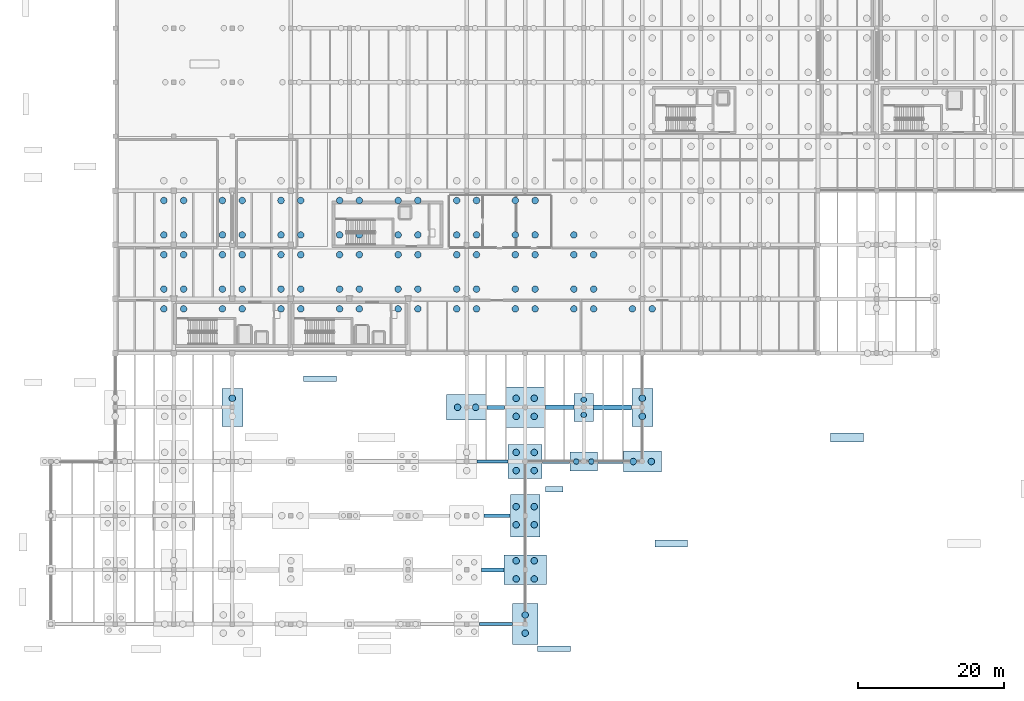
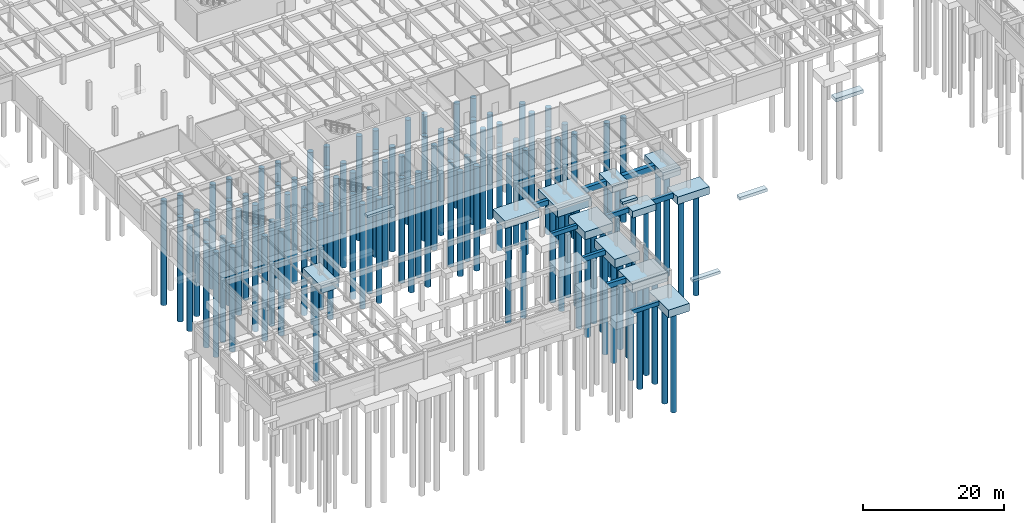
# One storey, part 3 of 40: 108 piles, 25 footings.
"""IFC4 building model written with IfcOpenShell, lengths in metres."""

from ifc_helpers import new_model, si_unit, direction, frame, origin, origin_2d, place, context, subcontext, project, spatial, polyline, rectangle, circle, outline, extrude, material, material_profile, profile_set, type_object, element, save


model = new_model("IFC4")

# Units and contexts
model_context = context("Model", 3, precision=1e-05, world=origin(), true_north=direction((0.0, 1.0)))
body_context = subcontext(model_context, "Body", "Model", "MODEL_VIEW")
ifc_project = project(units=[si_unit("LENGTHUNIT", "METRE"), si_unit("AREAUNIT", "SQUARE_METRE"), si_unit("VOLUMEUNIT", "CUBIC_METRE"), si_unit("PLANEANGLEUNIT", "RADIAN"), si_unit("MASSUNIT", "GRAM", prefix="KILO")], contexts=[model_context])

# Site, building, storey
site_placement = place(None, origin())
site = spatial("IfcSite", under=ifc_project, at=site_placement, CompositionType="ELEMENT")
building_placement = place(site_placement, origin())
building = spatial("IfcBuilding", under=site, at=building_placement, Name="Valkorina Park Police Headquarters", CompositionType="ELEMENT")
storey_placement = place(building_placement, frame((0.0, 0.0, -4.800048828125)))
storey = spatial("IfcBuildingStorey", under=building, at=storey_placement, Name="B01", CompositionType="ELEMENT", Elevation=-4.800048828125)

# Footings
ifc_material_1 = material(Name="Concrete C30/37", Category="concrete")
ifc_material_profile_1 = material_profile(ifc_material_1, rectangle(XDim=0.449951171875, YDim=0.699951171875, at=origin_2d()), Name="GB 450x700")
ifc_profile_set_1 = profile_set([ifc_material_profile_1], Name="Concrete C30/37")
footing_type_1 = type_object("IfcFootingType", Name="FT-GB-02", PredefinedType="FOOTING_BEAM", material=ifc_profile_set_1)
footing_1_placement = place(storey_placement, frame((0.0, 0.0, -0.699951171875)))
element("IfcFooting", 1, at=footing_1_placement, inside=storey, type_object=footing_type_1, Name="Pile Cap Tie Beam GB-02 #8", PredefinedType="FOOTING_BEAM", context=body_context, shape_type="SweptSolid", body=[
    extrude(outline(polyline([(63.054931640625, -0.22509765625), (63.054931640625, 0.22509765625), (58.544921875, 0.22509765625), (58.544921875, -0.22509765625), (63.054931640625, -0.22509765625)])), origin(), (0.0, 0.0, 1.0), 0.699951171875),
])
footing_2_placement = place(storey_placement, frame((0.0, 0.0, -0.699951171875)))
element("IfcFooting", 2, at=footing_2_placement, inside=storey, type_object=footing_type_1, Name="Pile Cap Tie Beam GB-02 #38", PredefinedType="FOOTING_BEAM", context=body_context, shape_type="SweptSolid", body=[
    extrude(outline(polyline([(62.455078125, 21.97509765625), (62.455078125, 22.425048828125), (58.2451171875, 22.425048828125), (58.2451171875, 21.97509765625), (62.455078125, 21.97509765625)])), origin(), (0.0, 0.0, 1.0), 0.699951171875),
])
ifc_material_profile_2 = material_profile(ifc_material_1, rectangle(XDim=0.5, YDim=0.800048828125, at=origin_2d()), Name="GB 500x800")
ifc_profile_set_2 = profile_set([ifc_material_profile_2], Name="Concrete C30/37")
footing_type_2 = type_object("IfcFootingType", Name="FT-GB-03", PredefinedType="FOOTING_BEAM", material=ifc_profile_set_2)
footing_3_placement = place(storey_placement, frame((0.0, 0.0, -0.800048828125)))
element("IfcFooting", 3, at=footing_3_placement, inside=storey, type_object=footing_type_2, Name="Pile Cap Tie Beam GB-03 #27", PredefinedType="FOOTING_BEAM", context=body_context, shape_type="SweptSolid", body=[
    extrude(outline(polyline([(62.7548828125, 14.550048828125), (62.7548828125, 15.050048828125), (59.14501953125, 15.050048828125), (59.14501953125, 14.550048828125), (62.7548828125, 14.550048828125)])), origin(), (0.0, 0.0, 1.0), 0.800048828125),
])
footing_4_placement = place(storey_placement, frame((0.0, 0.0, -0.800048828125)))
element("IfcFooting", 4, at=footing_4_placement, inside=storey, type_object=footing_type_2, Name="Pile Cap Tie Beam GB-03 #39", PredefinedType="FOOTING_BEAM", context=body_context, shape_type="SweptSolid", body=[
    extrude(outline(polyline([(70.8798828125, 21.949951171875), (70.8798828125, 22.449951171875), (67.14501953125, 22.449951171875), (67.14501953125, 21.949951171875), (70.8798828125, 21.949951171875)])), origin(), (0.0, 0.0, 1.0), 0.800048828125),
])
ifc_material_2 = material(Name="Concrete C35/45", Category="concrete")
ifc_material_profile_3 = material_profile(ifc_material_2, rectangle(XDim=0.550048828125, YDim=0.85009765625, at=origin_2d()), Name="GB 550x850")
ifc_profile_set_3 = profile_set([ifc_material_profile_3], Name="Concrete C35/45")
footing_type_3 = type_object("IfcFootingType", Name="FT-GB-04", PredefinedType="FOOTING_BEAM", material=ifc_profile_set_3)
footing_5_placement = place(storey_placement, frame((0.0, 0.0, -0.849853515625)))
element("IfcFooting", 5, at=footing_5_placement, inside=storey, type_object=footing_type_3, Name="Pile Cap Tie Beam GB-04 #16", PredefinedType="FOOTING_BEAM", context=body_context, shape_type="SweptSolid", body=[
    extrude(outline(polyline([(61.8798828125, 7.125), (61.8798828125, 7.675048828125), (58.844970703125, 7.675048828125), (58.844970703125, 7.125), (61.8798828125, 7.125)])), origin(), (0.0, 0.0, 1.0), 0.849853515625),
])
footing_6_placement = place(storey_placement, frame((0.0, 0.0, -0.849853515625)))
element("IfcFooting", 6, at=footing_6_placement, inside=storey, type_object=footing_type_3, Name="Pile Cap Tie Beam GB-04 #40", PredefinedType="FOOTING_BEAM", context=body_context, shape_type="SweptSolid", body=[
    extrude(outline(polyline([(78.179931640625, 21.925048828125), (78.179931640625, 22.47509765625), (74.719970703125, 22.47509765625), (74.719970703125, 21.925048828125), (78.179931640625, 21.925048828125)])), origin(), (0.0, 0.0, 1.0), 0.849853515625),
])
footing_7_placement = place(storey_placement, frame((0.0, 0.0, -0.849853515625)))
element("IfcFooting", 7, at=footing_7_placement, inside=storey, type_object=footing_type_3, Name="Pile Cap Tie Beam GB-04 #46", PredefinedType="FOOTING_BEAM", context=body_context, shape_type="SweptSolid", body=[
    extrude(outline(polyline([(62.0048828125, 29.324951171875), (62.0048828125, 29.875), (59.594970703125, 29.875), (59.594970703125, 29.324951171875), (62.0048828125, 29.324951171875)])), origin(), (0.0, 0.0, 1.0), 0.849853515625),
])
ifc_material_profile_4 = material_profile(ifc_material_2, rectangle(XDim=0.60009765625, YDim=0.949951171875, at=origin_2d()), Name="GB 600x950")
ifc_profile_set_4 = profile_set([ifc_material_profile_4], Name="Concrete C35/45")
footing_type_4 = type_object("IfcFootingType", Name="FT-GB-05", PredefinedType="FOOTING_BEAM", material=ifc_profile_set_4)
footing_8_placement = place(storey_placement, frame((0.0, 0.0, -0.949951171875)))
element("IfcFooting", 8, at=footing_8_placement, inside=storey, type_object=footing_type_4, Name="Pile Cap Tie Beam GB-05 #47", PredefinedType="FOOTING_BEAM", context=body_context, shape_type="SweptSolid", body=[
    extrude(outline(polyline([(71.47998046875, 29.300048828125), (71.47998046875, 29.89990234375), (67.594970703125, 29.89990234375), (67.594970703125, 29.300048828125), (71.47998046875, 29.300048828125)])), origin(), (0.0, 0.0, 1.0), 0.949951171875),
])
ifc_material_profile_5 = material_profile(ifc_material_2, rectangle(XDim=0.699951171875, YDim=1.050048828125, at=origin_2d()), Name="GB 700x1050")
ifc_profile_set_5 = profile_set([ifc_material_profile_5], Name="Concrete C35/45")
footing_type_5 = type_object("IfcFootingType", Name="FT-GB-06", PredefinedType="FOOTING_BEAM", material=ifc_profile_set_5)
footing_9_placement = place(storey_placement, frame((0.0, 0.0, -1.050048828125)))
element("IfcFooting", 9, at=footing_9_placement, inside=storey, type_object=footing_type_5, Name="Pile Cap Tie Beam GB-06 #48", PredefinedType="FOOTING_BEAM", context=body_context, shape_type="SweptSolid", body=[
    extrude(outline(polyline([(79.35498046875, 29.25), (79.35498046875, 29.949951171875), (74.1201171875, 29.949951171875), (74.1201171875, 29.25), (79.35498046875, 29.25)])), origin(), (0.0, 0.0, 1.0), 1.050048828125),
])
ifc_material_3 = material(Name="Concrete C40/50", Category="concrete")
footing_type_6 = type_object("IfcFootingType", Name="FT-PC-14", PredefinedType="PILE_CAP", material=ifc_material_3)
footing_10_placement = place(storey_placement, frame((56.800048828125, 29.60009765625, -1.35009765625), z_axis=(0.0, 0.0, 1.0), x_axis=(1.0, 0.0, 0.0)))
element("IfcFooting", 10, at=footing_10_placement, inside=storey, type_object=footing_type_6, Name="Pile Cap PC-14 #40", PredefinedType="PILE_CAP", context=body_context, shape_type="SweptSolid", body=[
    extrude(rectangle(XDim=5.550048828125, YDim=3.449951171875, at=origin_2d()), origin(), (0.0, 0.0, 1.0), 1.35009765625),
])
footing_type_7 = type_object("IfcFootingType", Name="FT-PC-15", PredefinedType="PILE_CAP", material=ifc_material_3)
footing_11_placement = place(storey_placement, frame((64.800048828125, 0.0, -1.35009765625), z_axis=(0.0, 0.0, 1.0), x_axis=(1.0, 0.0, 0.0)))
element("IfcFooting", 11, at=footing_11_placement, inside=storey, type_object=footing_type_7, Name="Pile Cap PC-15 #41", PredefinedType="PILE_CAP", context=body_context, shape_type="SweptSolid", body=[
    extrude(rectangle(XDim=3.449951171875, YDim=5.550048828125, at=origin_2d()), origin(), (0.0, 0.0, 1.0), 1.35009765625),
])
footing_type_8 = type_object("IfcFootingType", Name="FT-PC-16", PredefinedType="PILE_CAP", material=ifc_material_3)
footing_12_placement = place(storey_placement, frame((64.800048828125, 7.39990234375, -1.5), z_axis=(0.0, 0.0, 1.0), x_axis=(1.0, 0.0, 0.0)))
element("IfcFooting", 12, at=footing_12_placement, inside=storey, type_object=footing_type_8, Name="Pile Cap PC-16 #42", PredefinedType="PILE_CAP", context=body_context, shape_type="SweptSolid", body=[
    extrude(rectangle(XDim=5.800048828125, YDim=4.050048828125, at=origin_2d()), origin(), (0.0, 0.0, 1.0), 1.5),
])
footing_type_9 = type_object("IfcFootingType", Name="FT-PC-17", PredefinedType="PILE_CAP", material=ifc_material_3)
footing_13_placement = place(storey_placement, frame((64.800048828125, 14.800048828125, -1.5), z_axis=(0.0, 0.0, 1.0), x_axis=(1.0, 0.0, 0.0)))
element("IfcFooting", 13, at=footing_13_placement, inside=storey, type_object=footing_type_9, Name="Pile Cap PC-17 #43", PredefinedType="PILE_CAP", context=body_context, shape_type="SweptSolid", body=[
    extrude(rectangle(XDim=4.050048828125, YDim=5.800048828125, at=origin_2d()), origin(), (0.0, 0.0, 1.0), 1.5),
])
footing_type_10 = type_object("IfcFootingType", Name="FT-PC-18", PredefinedType="PILE_CAP", material=ifc_material_3)
footing_14_placement = place(storey_placement, frame((64.800048828125, 22.199951171875, -1.35009765625), z_axis=(0.0, 0.0, 1.0), x_axis=(1.0, 0.0, 0.0)))
element("IfcFooting", 14, at=footing_14_placement, inside=storey, type_object=footing_type_10, Name="Pile Cap PC-18 #44", PredefinedType="PILE_CAP", context=body_context, shape_type="SweptSolid", body=[
    extrude(rectangle(XDim=4.64990234375, YDim=4.64990234375, at=origin_2d()), origin(), (0.0, 0.0, 1.0), 1.35009765625),
])
footing_type_11 = type_object("IfcFootingType", Name="FT-PC-19", PredefinedType="PILE_CAP", material=ifc_material_3)
footing_15_placement = place(storey_placement, frame((64.800048828125, 29.60009765625, -1.5), z_axis=(0.0, 0.0, 1.0), x_axis=(1.0, 0.0, 0.0)))
element("IfcFooting", 15, at=footing_15_placement, inside=storey, type_object=footing_type_11, Name="Pile Cap PC-19 #45", PredefinedType="PILE_CAP", context=body_context, shape_type="SweptSolid", body=[
    extrude(rectangle(XDim=5.550048828125, YDim=5.550048828125, at=origin_2d()), origin(), (0.0, 0.0, 1.0), 1.5),
])
footing_type_12 = type_object("IfcFootingType", Name="FT-PC-20", PredefinedType="PILE_CAP", material=ifc_material_3)
footing_16_placement = place(storey_placement, frame((72.800048828125, 22.199951171875, -1.14990234375), z_axis=(0.0, 0.0, 1.0), x_axis=(1.0, 0.0, 0.0)))
element("IfcFooting", 16, at=footing_16_placement, inside=storey, type_object=footing_type_12, Name="Pile Cap PC-20 #46", PredefinedType="PILE_CAP", context=body_context, shape_type="SweptSolid", body=[
    extrude(rectangle(XDim=3.800048828125, YDim=2.60009765625, at=origin_2d()), origin(), (0.0, 0.0, 1.0), 1.14990234375),
])
footing_type_13 = type_object("IfcFootingType", Name="FT-PC-21", PredefinedType="PILE_CAP", material=ifc_material_3)
footing_17_placement = place(storey_placement, frame((72.800048828125, 29.60009765625, -1.14990234375), z_axis=(0.0, 0.0, 1.0), x_axis=(1.0, 0.0, 0.0)))
element("IfcFooting", 17, at=footing_17_placement, inside=storey, type_object=footing_type_13, Name="Pile Cap PC-21 #47", PredefinedType="PILE_CAP", context=body_context, shape_type="SweptSolid", body=[
    extrude(rectangle(XDim=2.60009765625, YDim=3.800048828125, at=origin_2d()), origin(), (0.0, 0.0, 1.0), 1.14990234375),
])
footing_type_14 = type_object("IfcFootingType", Name="FT-PC-22", PredefinedType="PILE_CAP", material=ifc_material_3)
footing_18_placement = place(storey_placement, frame((80.800048828125, 22.199951171875, -1.2998046875), z_axis=(0.0, 0.0, 1.0), x_axis=(1.0, 0.0, 0.0)))
element("IfcFooting", 18, at=footing_18_placement, inside=storey, type_object=footing_type_14, Name="Pile Cap PC-22 #48", PredefinedType="PILE_CAP", context=body_context, shape_type="SweptSolid", body=[
    extrude(rectangle(XDim=5.199951171875, YDim=2.85009765625, at=origin_2d()), origin(), (0.0, 0.0, 1.0), 1.300048828125),
])
footing_type_15 = type_object("IfcFootingType", Name="FT-PC-23", PredefinedType="PILE_CAP", material=ifc_material_3)
for number, where, z_axis, x_axis, name in (
    (19, (24.800048828125, 29.60009765625, -1.2998046875), (0.0, 0.0, 1.0), (1.0, 0.0, 0.0), "Pile Cap PC-23 #23"),
    (20, (80.800048828125, 29.60009765625, -1.2998046875), (0.0, 0.0, 1.0), (1.0, 0.0, 0.0), "Pile Cap PC-23 #49"),
):
    element("IfcFooting", number, at=place(storey_placement, frame(where, z_axis=z_axis, x_axis=x_axis)), inside=storey, type_object=footing_type_15, Name=name, PredefinedType="PILE_CAP", context=body_context, shape_type="SweptSolid", body=[
        extrude(rectangle(XDim=2.85009765625, YDim=5.199951171875, at=origin_2d()), origin(), (0.0, 0.0, 1.0), 1.300048828125),
    ])
ifc_material_profile_6 = material_profile(ifc_material_2, rectangle(XDim=0.75, YDim=0.449951171875, at=origin_2d()), Name="SF 750x450")
ifc_profile_set_6 = profile_set([ifc_material_profile_6], Name="Concrete C35/45")
footing_type_16 = type_object("IfcFootingType", Name="FT-SF-01", PredefinedType="STRIP_FOOTING", material=ifc_profile_set_6)
footing_19_placement = place(storey_placement, frame((0.0, 0.0, 4.170166015625)))
element("IfcFooting", 21, at=footing_19_placement, inside=storey, type_object=footing_type_16, Name="Grade Apron Strip Footing SF-01 #9", PredefinedType="STRIP_FOOTING", context=body_context, shape_type="SweptSolid", body=[
    extrude(outline(polyline([(71.0, -3.77490234375), (71.0, -3.02490234375), (66.5, -3.02490234375), (66.5, -3.77490234375), (71.0, -3.77490234375)])), origin(), (0.0, 0.0, 1.0), 0.449951171875),
])
footing_20_placement = place(storey_placement, frame((0.0, 0.0, 4.170166015625)))
element("IfcFooting", 22, at=footing_20_placement, inside=storey, type_object=footing_type_16, Name="Grade Apron Strip Footing SF-01 #13", PredefinedType="STRIP_FOOTING", context=body_context, shape_type="SweptSolid", body=[
    extrude(outline(polyline([(39.0, 33.125), (39.0, 33.875), (34.5, 33.875), (34.5, 33.125), (39.0, 33.125)])), origin(), (0.0, 0.0, 1.0), 0.449951171875),
])
footing_21_placement = place(storey_placement, frame((0.0, 0.0, 4.06005859375)))
element("IfcFooting", 23, at=footing_21_placement, inside=storey, type_object=footing_type_16, Name="Ramp Bearing Strip Footing SF-01 #33", PredefinedType="STRIP_FOOTING", context=body_context, shape_type="SweptSolid", body=[
    extrude(outline(polyline([(70.0, 18.02490234375), (70.0, 18.77490234375), (67.60009765625, 18.77490234375), (67.60009765625, 18.02490234375), (70.0, 18.02490234375)])), origin(), (0.0, 0.0, 1.0), 0.449951171875),
])
ifc_material_profile_7 = material_profile(ifc_material_2, rectangle(XDim=0.89990234375, YDim=0.5, at=origin_2d()), Name="SF 900x500")
ifc_profile_set_7 = profile_set([ifc_material_profile_7], Name="Concrete C35/45")
footing_type_17 = type_object("IfcFootingType", Name="FT-SF-02", PredefinedType="STRIP_FOOTING", material=ifc_profile_set_7)
footing_22_placement = place(storey_placement, frame((0.0, 0.0, 4.1201171875)))
element("IfcFooting", 24, at=footing_22_placement, inside=storey, type_object=footing_type_17, Name="Grade Apron Strip Footing SF-02 #14", PredefinedType="STRIP_FOOTING", context=body_context, shape_type="SweptSolid", body=[
    extrude(outline(polyline([(87.0, 10.550048828125), (87.0, 11.449951171875), (82.5, 11.449951171875), (82.5, 10.550048828125), (87.0, 10.550048828125)])), origin(), (0.0, 0.0, 1.0), 0.5),
])
ifc_material_profile_8 = material_profile(ifc_material_2, rectangle(XDim=1.199951171875, YDim=0.60009765625, at=origin_2d()), Name="SF 1200x600")
ifc_profile_set_8 = profile_set([ifc_material_profile_8], Name="Concrete C35/45")
footing_type_18 = type_object("IfcFootingType", Name="FT-SF-04", PredefinedType="STRIP_FOOTING", material=ifc_profile_set_8)
footing_23_placement = place(storey_placement, frame((0.0, 0.0, 4.02001953125)))
element("IfcFooting", 25, at=footing_23_placement, inside=storey, type_object=footing_type_18, Name="Grade Apron Strip Footing SF-04 #16", PredefinedType="STRIP_FOOTING", context=body_context, shape_type="SweptSolid", body=[
    extrude(outline(polyline([(111.0, 24.89990234375), (111.0, 26.10009765625), (106.5, 26.10009765625), (106.5, 24.89990234375), (111.0, 24.89990234375)])), origin(), (0.0, 0.0, 1.0), 0.60009765625),
])

# Piles
ifc_material_profile_9 = material_profile(ifc_material_1, circle(Radius=0.375, at=origin_2d()), Name="BORED PILE D750")
ifc_profile_set_9 = profile_set([ifc_material_profile_9], Name="Concrete C30/37")
pile_type_1 = type_object("IfcPileType", Name="PL-BORED-D750", PredefinedType="BORED", material=ifc_profile_set_9)
for number, where, z_axis, x_axis, name in (
    (26, (71.768798828125, 22.199951171875, -1.0), (0.0, 0.0, -1.0), (1.0, 0.0, 0.0), "Bored Pile 0467 (Cap PC-20)"),
    (27, (73.831298828125, 22.199951171875, -1.0), (0.0, 0.0, -1.0), (1.0, 0.0, 0.0), "Bored Pile 0468 (Cap PC-20)"),
    (28, (72.800048828125, 28.56884765625, -1.0), (0.0, 0.0, -1.0), (1.0, 0.0, 0.0), "Bored Pile 0469 (Cap PC-21)"),
    (29, (72.800048828125, 30.63134765625, -1.0), (0.0, 0.0, -1.0), (1.0, 0.0, 0.0), "Bored Pile 0470 (Cap PC-21)"),
):
    element("IfcPile", number, at=place(storey_placement, frame(where, z_axis=z_axis, x_axis=x_axis)), inside=storey, type_object=pile_type_1, Name=name, PredefinedType="BORED", context=body_context, shape_type="SweptSolid", body=[
        extrude(circle(Radius=0.375, at=origin_2d()), origin(), (0.0, 0.0, 1.0), 16.699951171875),
    ])
ifc_material_profile_10 = material_profile(ifc_material_2, circle(Radius=0.449951171875, at=origin_2d()), Name="BORED PILE D900")
ifc_profile_set_10 = profile_set([ifc_material_profile_10], Name="Concrete C35/45")
pile_type_2 = type_object("IfcPileType", Name="PL-BORED-D900", PredefinedType="BORED", material=ifc_profile_set_10)
for number, where, z_axis, x_axis, name in (
    (30, (15.449951171875, 43.050048828125, -0.89990234375), (0.0, 0.0, -1.0), (1.0, 0.0, 0.0), "Bored Pile 0001 (Raft Cluster)"),
    (31, (18.14990234375, 43.050048828125, -0.89990234375), (0.0, 0.0, -1.0), (1.0, 0.0, 0.0), "Bored Pile 0002 (Raft Cluster)"),
    (32, (15.449951171875, 45.75, -0.89990234375), (0.0, 0.0, -1.0), (1.0, 0.0, 0.0), "Bored Pile 0003 (Raft Cluster)"),
    (33, (18.14990234375, 45.75, -0.89990234375), (0.0, 0.0, -1.0), (1.0, 0.0, 0.0), "Bored Pile 0004 (Raft Cluster)"),
    (34, (15.449951171875, 50.449951171875, -0.89990234375), (0.0, 0.0, -1.0), (1.0, 0.0, 0.0), "Bored Pile 0005 (Raft Cluster)"),
    (35, (18.14990234375, 50.449951171875, -0.89990234375), (0.0, 0.0, -1.0), (1.0, 0.0, 0.0), "Bored Pile 0006 (Raft Cluster)"),
    (36, (15.449951171875, 53.14990234375, -0.89990234375), (0.0, 0.0, -1.0), (1.0, 0.0, 0.0), "Bored Pile 0007 (Raft Cluster)"),
    (37, (18.14990234375, 53.14990234375, -0.89990234375), (0.0, 0.0, -1.0), (1.0, 0.0, 0.0), "Bored Pile 0008 (Raft Cluster)"),
    (38, (15.449951171875, 57.85009765625, -0.89990234375), (0.0, 0.0, -1.0), (1.0, 0.0, 0.0), "Bored Pile 0009 (Raft Cluster)"),
    (39, (18.14990234375, 57.85009765625, -0.89990234375), (0.0, 0.0, -1.0), (1.0, 0.0, 0.0), "Bored Pile 0010 (Raft Cluster)"),
    (40, (23.449951171875, 43.050048828125, -0.89990234375), (0.0, 0.0, -1.0), (1.0, 0.0, 0.0), "Bored Pile 0023 (Raft Cluster)"),
    (41, (26.14990234375, 43.050048828125, -0.89990234375), (0.0, 0.0, -1.0), (1.0, 0.0, 0.0), "Bored Pile 0024 (Raft Cluster)"),
    (42, (23.449951171875, 45.75, -0.89990234375), (0.0, 0.0, -1.0), (1.0, 0.0, 0.0), "Bored Pile 0025 (Raft Cluster)"),
    (43, (26.14990234375, 45.75, -0.89990234375), (0.0, 0.0, -1.0), (1.0, 0.0, 0.0), "Bored Pile 0026 (Raft Cluster)"),
    (44, (23.449951171875, 50.449951171875, -0.89990234375), (0.0, 0.0, -1.0), (1.0, 0.0, 0.0), "Bored Pile 0027 (Raft Cluster)"),
    (45, (26.14990234375, 50.449951171875, -0.89990234375), (0.0, 0.0, -1.0), (1.0, 0.0, 0.0), "Bored Pile 0028 (Raft Cluster)"),
    (46, (23.449951171875, 53.14990234375, -0.89990234375), (0.0, 0.0, -1.0), (1.0, 0.0, 0.0), "Bored Pile 0029 (Raft Cluster)"),
    (47, (26.14990234375, 53.14990234375, -0.89990234375), (0.0, 0.0, -1.0), (1.0, 0.0, 0.0), "Bored Pile 0030 (Raft Cluster)"),
    (48, (23.449951171875, 57.85009765625, -0.89990234375), (0.0, 0.0, -1.0), (1.0, 0.0, 0.0), "Bored Pile 0031 (Raft Cluster)"),
    (49, (26.14990234375, 57.85009765625, -0.89990234375), (0.0, 0.0, -1.0), (1.0, 0.0, 0.0), "Bored Pile 0032 (Raft Cluster)"),
    (50, (31.449951171875, 43.050048828125, -0.89990234375), (0.0, 0.0, -1.0), (1.0, 0.0, 0.0), "Bored Pile 0045 (Raft Cluster)"),
    (51, (34.14990234375, 43.050048828125, -0.89990234375), (0.0, 0.0, -1.0), (1.0, 0.0, 0.0), "Bored Pile 0046 (Raft Cluster)"),
    (52, (31.449951171875, 45.75, -0.89990234375), (0.0, 0.0, -1.0), (1.0, 0.0, 0.0), "Bored Pile 0047 (Raft Cluster)"),
    (53, (34.14990234375, 45.75, -0.89990234375), (0.0, 0.0, -1.0), (1.0, 0.0, 0.0), "Bored Pile 0048 (Raft Cluster)"),
    (54, (31.449951171875, 50.449951171875, -0.89990234375), (0.0, 0.0, -1.0), (1.0, 0.0, 0.0), "Bored Pile 0049 (Raft Cluster)"),
    (55, (34.14990234375, 50.449951171875, -0.89990234375), (0.0, 0.0, -1.0), (1.0, 0.0, 0.0), "Bored Pile 0050 (Raft Cluster)"),
    (56, (31.449951171875, 53.14990234375, -0.89990234375), (0.0, 0.0, -1.0), (1.0, 0.0, 0.0), "Bored Pile 0051 (Raft Cluster)"),
    (57, (34.14990234375, 53.14990234375, -0.89990234375), (0.0, 0.0, -1.0), (1.0, 0.0, 0.0), "Bored Pile 0052 (Raft Cluster)"),
    (58, (31.449951171875, 57.85009765625, -0.89990234375), (0.0, 0.0, -1.0), (1.0, 0.0, 0.0), "Bored Pile 0053 (Raft Cluster)"),
    (59, (34.14990234375, 57.85009765625, -0.89990234375), (0.0, 0.0, -1.0), (1.0, 0.0, 0.0), "Bored Pile 0054 (Raft Cluster)"),
    (60, (39.449951171875, 43.050048828125, -0.89990234375), (0.0, 0.0, -1.0), (1.0, 0.0, 0.0), "Bored Pile 0067 (Raft Cluster)"),
    (61, (42.14990234375, 43.050048828125, -0.89990234375), (0.0, 0.0, -1.0), (1.0, 0.0, 0.0), "Bored Pile 0068 (Raft Cluster)"),
    (62, (39.449951171875, 45.75, -0.89990234375), (0.0, 0.0, -1.0), (1.0, 0.0, 0.0), "Bored Pile 0069 (Raft Cluster)"),
    (63, (42.14990234375, 45.75, -0.89990234375), (0.0, 0.0, -1.0), (1.0, 0.0, 0.0), "Bored Pile 0070 (Raft Cluster)"),
    (64, (39.449951171875, 50.449951171875, -0.89990234375), (0.0, 0.0, -1.0), (1.0, 0.0, 0.0), "Bored Pile 0071 (Raft Cluster)"),
    (65, (42.14990234375, 50.449951171875, -0.89990234375), (0.0, 0.0, -1.0), (1.0, 0.0, 0.0), "Bored Pile 0072 (Raft Cluster)"),
    (66, (39.449951171875, 53.14990234375, -0.89990234375), (0.0, 0.0, -1.0), (1.0, 0.0, 0.0), "Bored Pile 0073 (Raft Cluster)"),
    (67, (42.14990234375, 53.14990234375, -0.89990234375), (0.0, 0.0, -1.0), (1.0, 0.0, 0.0), "Bored Pile 0074 (Raft Cluster)"),
    (68, (39.449951171875, 57.85009765625, -0.89990234375), (0.0, 0.0, -1.0), (1.0, 0.0, 0.0), "Bored Pile 0075 (Raft Cluster)"),
    (69, (42.14990234375, 57.85009765625, -0.89990234375), (0.0, 0.0, -1.0), (1.0, 0.0, 0.0), "Bored Pile 0076 (Raft Cluster)"),
    (70, (47.449951171875, 43.050048828125, -0.89990234375), (0.0, 0.0, -1.0), (1.0, 0.0, 0.0), "Bored Pile 0089 (Raft Cluster)"),
    (71, (50.14990234375, 43.050048828125, -0.89990234375), (0.0, 0.0, -1.0), (1.0, 0.0, 0.0), "Bored Pile 0090 (Raft Cluster)"),
    (72, (47.449951171875, 45.75, -0.89990234375), (0.0, 0.0, -1.0), (1.0, 0.0, 0.0), "Bored Pile 0091 (Raft Cluster)"),
    (73, (50.14990234375, 45.75, -0.89990234375), (0.0, 0.0, -1.0), (1.0, 0.0, 0.0), "Bored Pile 0092 (Raft Cluster)"),
    (74, (47.449951171875, 50.449951171875, -0.89990234375), (0.0, 0.0, -1.0), (1.0, 0.0, 0.0), "Bored Pile 0093 (Raft Cluster)"),
    (75, (50.14990234375, 50.449951171875, -0.89990234375), (0.0, 0.0, -1.0), (1.0, 0.0, 0.0), "Bored Pile 0094 (Raft Cluster)"),
    (76, (47.449951171875, 53.14990234375, -0.89990234375), (0.0, 0.0, -1.0), (1.0, 0.0, 0.0), "Bored Pile 0095 (Raft Cluster)"),
    (77, (50.14990234375, 53.14990234375, -0.89990234375), (0.0, 0.0, -1.0), (1.0, 0.0, 0.0), "Bored Pile 0096 (Raft Cluster)"),
    (78, (47.449951171875, 57.85009765625, -0.89990234375), (0.0, 0.0, -1.0), (1.0, 0.0, 0.0), "Bored Pile 0097 (Raft Cluster)"),
    (79, (50.14990234375, 57.85009765625, -0.89990234375), (0.0, 0.0, -1.0), (1.0, 0.0, 0.0), "Bored Pile 0098 (Raft Cluster)"),
    (80, (55.449951171875, 43.050048828125, -0.89990234375), (0.0, 0.0, -1.0), (1.0, 0.0, 0.0), "Bored Pile 0111 (Raft Cluster)"),
    (81, (58.14990234375, 43.050048828125, -0.89990234375), (0.0, 0.0, -1.0), (1.0, 0.0, 0.0), "Bored Pile 0112 (Raft Cluster)"),
    (82, (55.449951171875, 45.75, -0.89990234375), (0.0, 0.0, -1.0), (1.0, 0.0, 0.0), "Bored Pile 0113 (Raft Cluster)"),
    (83, (58.14990234375, 45.75, -0.89990234375), (0.0, 0.0, -1.0), (1.0, 0.0, 0.0), "Bored Pile 0114 (Raft Cluster)"),
    (84, (55.449951171875, 50.449951171875, -0.89990234375), (0.0, 0.0, -1.0), (1.0, 0.0, 0.0), "Bored Pile 0115 (Raft Cluster)"),
    (85, (58.14990234375, 50.449951171875, -0.89990234375), (0.0, 0.0, -1.0), (1.0, 0.0, 0.0), "Bored Pile 0116 (Raft Cluster)"),
    (86, (55.449951171875, 53.14990234375, -0.89990234375), (0.0, 0.0, -1.0), (1.0, 0.0, 0.0), "Bored Pile 0117 (Raft Cluster)"),
    (87, (58.14990234375, 53.14990234375, -0.89990234375), (0.0, 0.0, -1.0), (1.0, 0.0, 0.0), "Bored Pile 0118 (Raft Cluster)"),
    (88, (55.449951171875, 57.85009765625, -0.89990234375), (0.0, 0.0, -1.0), (1.0, 0.0, 0.0), "Bored Pile 0119 (Raft Cluster)"),
    (89, (58.14990234375, 57.85009765625, -0.89990234375), (0.0, 0.0, -1.0), (1.0, 0.0, 0.0), "Bored Pile 0120 (Raft Cluster)"),
    (90, (63.449951171875, 43.050048828125, -0.89990234375), (0.0, 0.0, -1.0), (1.0, 0.0, 0.0), "Bored Pile 0133 (Raft Cluster)"),
    (91, (66.14990234375, 43.050048828125, -0.89990234375), (0.0, 0.0, -1.0), (1.0, 0.0, 0.0), "Bored Pile 0134 (Raft Cluster)"),
    (92, (63.449951171875, 45.75, -0.89990234375), (0.0, 0.0, -1.0), (1.0, 0.0, 0.0), "Bored Pile 0135 (Raft Cluster)"),
    (93, (66.14990234375, 45.75, -0.89990234375), (0.0, 0.0, -1.0), (1.0, 0.0, 0.0), "Bored Pile 0136 (Raft Cluster)"),
    (94, (63.449951171875, 50.449951171875, -0.89990234375), (0.0, 0.0, -1.0), (1.0, 0.0, 0.0), "Bored Pile 0137 (Raft Cluster)"),
    (95, (66.14990234375, 50.449951171875, -0.89990234375), (0.0, 0.0, -1.0), (1.0, 0.0, 0.0), "Bored Pile 0138 (Raft Cluster)"),
    (96, (63.449951171875, 53.14990234375, -0.89990234375), (0.0, 0.0, -1.0), (1.0, 0.0, 0.0), "Bored Pile 0139 (Raft Cluster)"),
    (97, (66.14990234375, 53.14990234375, -0.89990234375), (0.0, 0.0, -1.0), (1.0, 0.0, 0.0), "Bored Pile 0140 (Raft Cluster)"),
    (98, (63.449951171875, 57.85009765625, -0.89990234375), (0.0, 0.0, -1.0), (1.0, 0.0, 0.0), "Bored Pile 0141 (Raft Cluster)"),
    (99, (66.14990234375, 57.85009765625, -0.89990234375), (0.0, 0.0, -1.0), (1.0, 0.0, 0.0), "Bored Pile 0142 (Raft Cluster)"),
    (100, (71.449951171875, 43.050048828125, -0.89990234375), (0.0, 0.0, -1.0), (1.0, 0.0, 0.0), "Bored Pile 0155 (Raft Cluster)"),
    (101, (74.14990234375, 43.050048828125, -0.89990234375), (0.0, 0.0, -1.0), (1.0, 0.0, 0.0), "Bored Pile 0156 (Raft Cluster)"),
    (102, (71.449951171875, 45.75, -0.89990234375), (0.0, 0.0, -1.0), (1.0, 0.0, 0.0), "Bored Pile 0157 (Raft Cluster)"),
    (103, (74.14990234375, 45.75, -0.89990234375), (0.0, 0.0, -1.0), (1.0, 0.0, 0.0), "Bored Pile 0158 (Raft Cluster)"),
    (104, (71.449951171875, 50.449951171875, -0.89990234375), (0.0, 0.0, -1.0), (1.0, 0.0, 0.0), "Bored Pile 0159 (Raft Cluster)"),
    (105, (74.14990234375, 50.449951171875, -0.89990234375), (0.0, 0.0, -1.0), (1.0, 0.0, 0.0), "Bored Pile 0160 (Raft Cluster)"),
    (106, (71.449951171875, 53.14990234375, -0.89990234375), (0.0, 0.0, -1.0), (1.0, 0.0, 0.0), "Bored Pile 0161 (Raft Cluster)"),
    (107, (79.449951171875, 43.050048828125, -0.89990234375), (0.0, 0.0, -1.0), (1.0, 0.0, 0.0), "Bored Pile 0177 (Raft Cluster)"),
    (108, (82.14990234375, 43.050048828125, -0.89990234375), (0.0, 0.0, -1.0), (1.0, 0.0, 0.0), "Bored Pile 0178 (Raft Cluster)"),
):
    element("IfcPile", number, at=place(storey_placement, frame(where, z_axis=z_axis, x_axis=x_axis)), inside=storey, type_object=pile_type_2, Name=name, PredefinedType="BORED", context=body_context, shape_type="SweptSolid", body=[
        extrude(circle(Radius=0.449951171875, at=origin_2d()), origin(), (0.0, 0.0, 1.0), 18.10009765625),
    ])
pile_placement = place(storey_placement, frame((24.800048828125, 30.83740234375, -1.14990234375), z_axis=(0.0, 0.0, -1.0), x_axis=(1.0, 0.0, 0.0)))
element("IfcPile", 109, at=pile_placement, inside=storey, type_object=pile_type_2, Name="Bored Pile 0411 (Cap PC-23)", PredefinedType="BORED", context=body_context, shape_type="SweptSolid", body=[
    extrude(circle(Radius=0.449951171875, at=origin_2d()), origin(), (0.0, 0.0, 1.0), 17.85009765625),
])
for number, where, z_axis, x_axis, name in (
    (110, (55.5625, 29.60009765625, -1.199951171875), (0.0, 0.0, -1.0), (1.0, 0.0, 0.0), "Bored Pile 0447 (Cap PC-14)"),
    (111, (58.03759765625, 29.60009765625, -1.199951171875), (0.0, 0.0, -1.0), (1.0, 0.0, 0.0), "Bored Pile 0448 (Cap PC-14)"),
    (112, (64.800048828125, -1.237548828125, -1.199951171875), (0.0, 0.0, -1.0), (1.0, 0.0, 0.0), "Bored Pile 0449 (Cap PC-15)"),
    (113, (64.800048828125, 1.237548828125, -1.199951171875), (0.0, 0.0, -1.0), (1.0, 0.0, 0.0), "Bored Pile 0450 (Cap PC-15)"),
):
    element("IfcPile", number, at=place(storey_placement, frame(where, z_axis=z_axis, x_axis=x_axis)), inside=storey, type_object=pile_type_2, Name=name, PredefinedType="BORED", context=body_context, shape_type="SweptSolid", body=[
        extrude(circle(Radius=0.449951171875, at=origin_2d()), origin(), (0.0, 0.0, 1.0), 17.800048828125),
    ])
for number, where, z_axis, x_axis, name in (
    (114, (63.5625, 6.16259765625, -1.349853515625), (0.0, 0.0, -1.0), (1.0, 0.0, 0.0), "Bored Pile 0451 (Cap PC-16)"),
    (115, (63.5625, 8.637451171875, -1.349853515625), (0.0, 0.0, -1.0), (1.0, 0.0, 0.0), "Bored Pile 0452 (Cap PC-16)"),
    (116, (66.03759765625, 6.16259765625, -1.349853515625), (0.0, 0.0, -1.0), (1.0, 0.0, 0.0), "Bored Pile 0453 (Cap PC-16)"),
    (117, (66.03759765625, 8.637451171875, -1.349853515625), (0.0, 0.0, -1.0), (1.0, 0.0, 0.0), "Bored Pile 0454 (Cap PC-16)"),
    (118, (63.5625, 13.5625, -1.349853515625), (0.0, 0.0, -1.0), (1.0, 0.0, 0.0), "Bored Pile 0455 (Cap PC-17)"),
    (119, (63.5625, 16.03759765625, -1.349853515625), (0.0, 0.0, -1.0), (1.0, 0.0, 0.0), "Bored Pile 0456 (Cap PC-17)"),
    (120, (66.03759765625, 13.5625, -1.349853515625), (0.0, 0.0, -1.0), (1.0, 0.0, 0.0), "Bored Pile 0457 (Cap PC-17)"),
    (121, (66.03759765625, 16.03759765625, -1.349853515625), (0.0, 0.0, -1.0), (1.0, 0.0, 0.0), "Bored Pile 0458 (Cap PC-17)"),
):
    element("IfcPile", number, at=place(storey_placement, frame(where, z_axis=z_axis, x_axis=x_axis)), inside=storey, type_object=pile_type_2, Name=name, PredefinedType="BORED", context=body_context, shape_type="SweptSolid", body=[
        extrude(circle(Radius=0.449951171875, at=origin_2d()), origin(), (0.0, 0.0, 1.0), 17.64990234375),
    ])
for number, where, z_axis, x_axis, name in (
    (122, (63.5625, 20.96240234375, -1.199951171875), (0.0, 0.0, -1.0), (1.0, 0.0, 0.0), "Bored Pile 0459 (Cap PC-18)"),
    (123, (63.5625, 23.4375, -1.199951171875), (0.0, 0.0, -1.0), (1.0, 0.0, 0.0), "Bored Pile 0460 (Cap PC-18)"),
    (124, (66.03759765625, 20.96240234375, -1.199951171875), (0.0, 0.0, -1.0), (1.0, 0.0, 0.0), "Bored Pile 0461 (Cap PC-18)"),
    (125, (66.03759765625, 23.4375, -1.199951171875), (0.0, 0.0, -1.0), (1.0, 0.0, 0.0), "Bored Pile 0462 (Cap PC-18)"),
):
    element("IfcPile", number, at=place(storey_placement, frame(where, z_axis=z_axis, x_axis=x_axis)), inside=storey, type_object=pile_type_2, Name=name, PredefinedType="BORED", context=body_context, shape_type="SweptSolid", body=[
        extrude(circle(Radius=0.449951171875, at=origin_2d()), origin(), (0.0, 0.0, 1.0), 17.800048828125),
    ])
for number, where, z_axis, x_axis, name in (
    (126, (63.5625, 28.362548828125, -1.349853515625), (0.0, 0.0, -1.0), (1.0, 0.0, 0.0), "Bored Pile 0463 (Cap PC-19)"),
    (127, (63.5625, 30.83740234375, -1.349853515625), (0.0, 0.0, -1.0), (1.0, 0.0, 0.0), "Bored Pile 0464 (Cap PC-19)"),
    (128, (66.03759765625, 28.362548828125, -1.349853515625), (0.0, 0.0, -1.0), (1.0, 0.0, 0.0), "Bored Pile 0465 (Cap PC-19)"),
    (129, (66.03759765625, 30.83740234375, -1.349853515625), (0.0, 0.0, -1.0), (1.0, 0.0, 0.0), "Bored Pile 0466 (Cap PC-19)"),
):
    element("IfcPile", number, at=place(storey_placement, frame(where, z_axis=z_axis, x_axis=x_axis)), inside=storey, type_object=pile_type_2, Name=name, PredefinedType="BORED", context=body_context, shape_type="SweptSolid", body=[
        extrude(circle(Radius=0.449951171875, at=origin_2d()), origin(), (0.0, 0.0, 1.0), 17.64990234375),
    ])
for number, where, z_axis, x_axis, name in (
    (130, (79.5625, 22.199951171875, -1.14990234375), (0.0, 0.0, -1.0), (1.0, 0.0, 0.0), "Bored Pile 0471 (Cap PC-22)"),
    (131, (82.03759765625, 22.199951171875, -1.14990234375), (0.0, 0.0, -1.0), (1.0, 0.0, 0.0), "Bored Pile 0472 (Cap PC-22)"),
    (132, (80.800048828125, 28.362548828125, -1.14990234375), (0.0, 0.0, -1.0), (1.0, 0.0, 0.0), "Bored Pile 0473 (Cap PC-23)"),
    (133, (80.800048828125, 30.83740234375, -1.14990234375), (0.0, 0.0, -1.0), (1.0, 0.0, 0.0), "Bored Pile 0474 (Cap PC-23)"),
):
    element("IfcPile", number, at=place(storey_placement, frame(where, z_axis=z_axis, x_axis=x_axis)), inside=storey, type_object=pile_type_2, Name=name, PredefinedType="BORED", context=body_context, shape_type="SweptSolid", body=[
        extrude(circle(Radius=0.449951171875, at=origin_2d()), origin(), (0.0, 0.0, 1.0), 17.85009765625),
    ])

save(model, "model.ifc")
